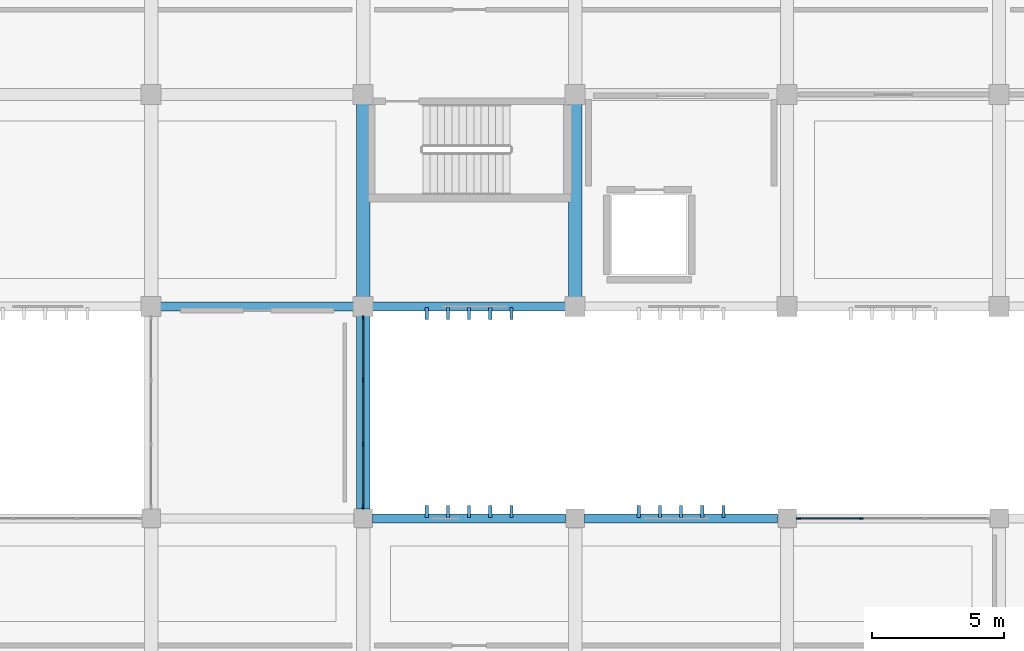
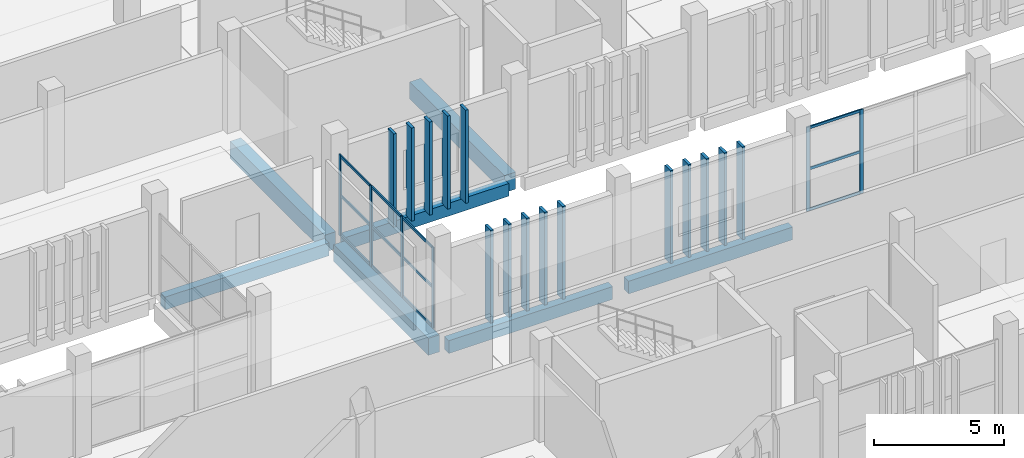
# One storey, part 42 of 117: 33 members, 7 beams, 2 elements without a shape of their own.
"""IFC4 building model written with IfcOpenShell, lengths in metres."""

from ifc_helpers import new_model, si_unit, direction, frame, origin, origin_2d, place, context, subcontext, project, spatial, rectangle, extrude, material, layer, layer_set, material_profile, profile_set, type_object, element, aggregate, save


model = new_model("IFC4")

# Units and contexts
model_context = context("Model", 3, precision=1e-05, world=origin(), true_north=direction((0.0, 1.0)))
body_context = subcontext(model_context, "Body", "Model", "MODEL_VIEW")
ifc_project = project(units=[si_unit("LENGTHUNIT", "METRE"), si_unit("AREAUNIT", "SQUARE_METRE"), si_unit("VOLUMEUNIT", "CUBIC_METRE"), si_unit("PLANEANGLEUNIT", "RADIAN"), si_unit("MASSUNIT", "GRAM", prefix="KILO")], contexts=[model_context])

# Site, building, storey
site_placement = place(None, origin())
site = spatial("IfcSite", under=ifc_project, at=site_placement, CompositionType="ELEMENT")
building_placement = place(site_placement, origin())
building = spatial("IfcBuilding", under=site, at=building_placement, Name="Jelvoka-Kovrelna Polytechnic", CompositionType="ELEMENT")
storey_placement = place(building_placement, origin())
storey = spatial("IfcBuildingStorey", under=building, at=storey_placement, Name="L01", CompositionType="ELEMENT", Elevation=0.0)

# Beams
ifc_material_1 = material(Name="Concrete C40/50", Category="concrete")
ifc_material_profile_1 = material_profile(ifc_material_1, rectangle(XDim=0.5, YDim=0.800048828125, at=origin_2d()), Name="RC 500x800")
ifc_profile_set_1 = profile_set([ifc_material_profile_1], Name="Concrete C40/50")
beam_type_1 = type_object("IfcBeamType", Name="Beam_RC_500x800", PredefinedType="BEAM", material=ifc_profile_set_1)
for number, where, z_axis, x_axis, name in (
    (1, (80.0, 56.35498046875, -0.804931640625), (0.0, 1.0, 0.0), (-1.0, 0.0, 0.0), "L01 beam 0465"),
    (2, (88.0, 56.35498046875, -0.804931640625), (0.0, 1.0, 0.0), (-1.0, 0.0, 0.0), "L01 beam 0467"),
    (3, (80.0, 48.35498046875, -0.804931640625), (0.0, 1.0, 0.0), (-1.0, 0.0, 0.0), "L01 beam 0543"),
):
    element("IfcBeam", number, at=place(storey_placement, frame(where, z_axis=z_axis, x_axis=x_axis)), inside=storey, type_object=beam_type_1, Name=name, PredefinedType="BEAM", context=body_context, shape_type="SweptSolid", body=[
        extrude(rectangle(XDim=0.5, YDim=0.800048828125, at=origin_2d()), origin(), (0.0, 0.0, 1.0), 7.2900390625),
    ])

# Members
ifc_material_2 = material(Name="Precast concrete C40/50", Category="concrete")
ifc_material_profile_2 = material_profile(ifc_material_2, rectangle(XDim=0.1201171875, YDim=0.449951171875, at=origin_2d()), Name="PC 120x450")
ifc_profile_set_2 = profile_set([ifc_material_profile_2], Name="Precast concrete C40/50")
member_type_1 = type_object("IfcMemberType", Name="Louvre_Fin_120x450", PredefinedType="USERDEFINED", material=ifc_profile_set_2)
for number, where, z_axis, x_axis, name in (
    (4, (82.39990234375, 48.264892578125, -0.419921875), (0.0, 0.0, 1.0), (1.0, 0.0, 0.0), "L01 B2W north vertical solar louvre fin 0576"),
    (5, (83.199951171875, 48.264892578125, -0.419921875), (0.0, 0.0, 1.0), (1.0, 0.0, 0.0), "L01 B2W north vertical solar louvre fin 0577"),
    (6, (84.0, 48.264892578125, -0.419921875), (0.0, 0.0, 1.0), (1.0, 0.0, 0.0), "L01 B2W north vertical solar louvre fin 0578"),
    (7, (84.800048828125, 48.264892578125, -0.419921875), (0.0, 0.0, 1.0), (1.0, 0.0, 0.0), "L01 B2W north vertical solar louvre fin 0579"),
    (8, (85.60009765625, 48.264892578125, -0.419921875), (0.0, 0.0, 1.0), (1.0, 0.0, 0.0), "L01 B2W north vertical solar louvre fin 0580"),
    (9, (90.39990234375, 48.264892578125, -0.419921875), (0.0, 0.0, 1.0), (1.0, 0.0, 0.0), "L01 B2W north vertical solar louvre fin 0586"),
    (10, (91.199951171875, 48.264892578125, -0.419921875), (0.0, 0.0, 1.0), (1.0, 0.0, 0.0), "L01 B2W north vertical solar louvre fin 0587"),
    (11, (92.0, 48.264892578125, -0.419921875), (0.0, 0.0, 1.0), (1.0, 0.0, 0.0), "L01 B2W north vertical solar louvre fin 0588"),
    (12, (92.800048828125, 48.264892578125, -0.419921875), (0.0, 0.0, 1.0), (1.0, 0.0, 0.0), "L01 B2W north vertical solar louvre fin 0589"),
    (13, (93.60009765625, 48.264892578125, -0.419921875), (0.0, 0.0, 1.0), (1.0, 0.0, 0.0), "L01 B2W north vertical solar louvre fin 0590"),
    (14, (82.39990234375, 55.735107421875, -0.419921875), (0.0, 0.0, 1.0), (1.0, 0.0, 0.0), "L01 B3 south vertical solar louvre fin 1216"),
    (15, (83.199951171875, 55.735107421875, -0.419921875), (0.0, 0.0, 1.0), (1.0, 0.0, 0.0), "L01 B3 south vertical solar louvre fin 1217"),
    (16, (84.0, 55.735107421875, -0.419921875), (0.0, 0.0, 1.0), (1.0, 0.0, 0.0), "L01 B3 south vertical solar louvre fin 1218"),
    (17, (84.800048828125, 55.735107421875, -0.419921875), (0.0, 0.0, 1.0), (1.0, 0.0, 0.0), "L01 B3 south vertical solar louvre fin 1219"),
    (18, (85.60009765625, 55.735107421875, -0.419921875), (0.0, 0.0, 1.0), (1.0, 0.0, 0.0), "L01 B3 south vertical solar louvre fin 1220"),
):
    element("IfcMember", number, at=place(storey_placement, frame(where, z_axis=z_axis, x_axis=x_axis)), inside=storey, type_object=member_type_1, Name=name, ObjectType="SUNSHADE", PredefinedType="USERDEFINED", context=body_context, shape_type="SweptSolid", body=[
        extrude(rectangle(XDim=0.1201171875, YDim=0.449951171875, at=origin_2d()), origin(), (0.0, 0.0, 1.0), 4.3798828125),
    ])

# Curtain wall, members
ifc_material_3 = material(Name="Anodised aluminium 6063-T6", Category="aluminium")
ifc_layer_1 = layer(ifc_material_3, 0.159912109375)
ifc_layer_set_1 = layer_set([ifc_layer_1], Name="Anodised aluminium 6063-T6")
curtain_wall_type_1 = type_object("IfcCurtainWallType", Name="CW_Recessed_A", PredefinedType="NOTDEFINED", material=ifc_layer_set_1)
curtain_wall_1_placement = place(storey_placement, origin())
curtain_wall_1 = element("IfcCurtainWall", 19, at=curtain_wall_1_placement, inside=storey, type_object=curtain_wall_type_1, Name="L01 glazed curtain wall 012", PredefinedType="NOTDEFINED")
ifc_material_4 = material(Name="Anodised aluminium 6063-T6", Category="aluminium")
ifc_material_profile_3 = material_profile(ifc_material_4, rectangle(XDim=0.06005859375, YDim=0.159912109375, at=origin_2d()), Name="ALU 60x160")
ifc_profile_set_3 = profile_set([ifc_material_profile_3], Name="Anodised aluminium 6063-T6")
member_type_2 = type_object("IfcMemberType", Name="Mullion_M-01", PredefinedType="MULLION", material=ifc_profile_set_3)
member_1_placement = place(storey_placement, frame((96.429931640625, 48.0, -0.02490234375), z_axis=(0.0, 0.0, 1.0), x_axis=(0.0, 1.0, 0.0)))
member_1 = element("IfcMember", 20, at=member_1_placement, type_object=member_type_2, Name="CW-01 mullion 1", PredefinedType="MULLION", context=body_context, shape_type="SweptSolid", body=[
    extrude(rectangle(XDim=0.06005859375, YDim=0.159912109375, at=origin_2d()), origin(), (0.0, 0.0, 1.0), 3.9599609375),
])
member_2_placement = place(storey_placement, frame((98.800048828125, 48.0, -0.02490234375), z_axis=(0.0, 0.0, 1.0), x_axis=(0.0, 1.0, 0.0)))
member_2 = element("IfcMember", 21, at=member_2_placement, type_object=member_type_2, Name="CW-01 mullion 2", PredefinedType="MULLION", context=body_context, shape_type="SweptSolid", body=[
    extrude(rectangle(XDim=0.06005859375, YDim=0.159912109375, at=origin_2d()), origin(), (0.0, 0.0, 1.0), 3.9599609375),
])

ifc_material_5 = material(Name="Anodised aluminium 6063-T6", Category="aluminium")
ifc_layer_2 = layer(ifc_material_5, 0.159912109375)
ifc_layer_set_2 = layer_set([ifc_layer_2], Name="Anodised aluminium 6063-T6")
curtain_wall_type_2 = type_object("IfcCurtainWallType", Name="CW_LinkBridge", PredefinedType="NOTDEFINED", material=ifc_layer_set_2)
curtain_wall_2_placement = place(storey_placement, origin())
curtain_wall_2 = element("IfcCurtainWall", 22, at=curtain_wall_2_placement, inside=storey, type_object=curtain_wall_type_2, Name="L01 glazed curtain wall 103", PredefinedType="NOTDEFINED")
ifc_material_6 = material(Name="Anodised aluminium 6063-T6", Category="aluminium")
ifc_material_profile_4 = material_profile(ifc_material_6, rectangle(XDim=0.06005859375, YDim=0.159912109375, at=origin_2d()), Name="ALU 60x160")
ifc_profile_set_4 = profile_set([ifc_material_profile_4], Name="Anodised aluminium 6063-T6")
member_type_3 = type_object("IfcMemberType", Name="Mullion_M-04", PredefinedType="MULLION", material=ifc_profile_set_4)
member_3_placement = place(storey_placement, frame((80.0, 55.570068359375, -0.02490234375), z_axis=(0.0, 0.0, 1.0), x_axis=(1.0, 0.0, 0.0)))
member_3 = element("IfcMember", 23, at=member_3_placement, type_object=member_type_3, Name="CW-04 mullion 1", PredefinedType="MULLION", context=body_context, shape_type="SweptSolid", body=[
    extrude(rectangle(XDim=0.06005859375, YDim=0.159912109375, at=origin_2d()), origin(), (0.0, 0.0, 1.0), 3.81005859375),
])
member_4_placement = place(storey_placement, frame((80.0, 53.199951171875, -0.02490234375), z_axis=(0.0, 0.0, 1.0), x_axis=(1.0, 0.0, 0.0)))
member_4 = element("IfcMember", 24, at=member_4_placement, type_object=member_type_3, Name="CW-04 mullion 2", PredefinedType="MULLION", context=body_context, shape_type="SweptSolid", body=[
    extrude(rectangle(XDim=0.06005859375, YDim=0.159912109375, at=origin_2d()), origin(), (0.0, 0.0, 1.0), 3.81005859375),
])
member_5_placement = place(storey_placement, frame((80.0, 50.800048828125, -0.02490234375), z_axis=(0.0, 0.0, 1.0), x_axis=(1.0, 0.0, 0.0)))
member_5 = element("IfcMember", 25, at=member_5_placement, type_object=member_type_3, Name="CW-04 mullion 3", PredefinedType="MULLION", context=body_context, shape_type="SweptSolid", body=[
    extrude(rectangle(XDim=0.06005859375, YDim=0.159912109375, at=origin_2d()), origin(), (0.0, 0.0, 1.0), 3.81005859375),
])
member_6_placement = place(storey_placement, frame((80.0, 48.429931640625, -0.02490234375), z_axis=(0.0, 0.0, 1.0), x_axis=(1.0, 0.0, 0.0)))
member_6 = element("IfcMember", 26, at=member_6_placement, type_object=member_type_3, Name="CW-04 mullion 4", PredefinedType="MULLION", context=body_context, shape_type="SweptSolid", body=[
    extrude(rectangle(XDim=0.06005859375, YDim=0.159912109375, at=origin_2d()), origin(), (0.0, 0.0, 1.0), 3.81005859375),
])

# Beams
ifc_material_7 = material(Name="Concrete C40/50", Category="concrete")
ifc_material_profile_5 = material_profile(ifc_material_7, rectangle(XDim=0.35009765625, YDim=0.60009765625, at=origin_2d()), Name="RC 350x600")
ifc_profile_set_5 = profile_set([ifc_material_profile_5], Name="Concrete C40/50")
beam_type_2 = type_object("IfcBeamType", Name="Spandrel_RC_350x600", PredefinedType="SPANDREL", material=ifc_profile_set_5)
for number, where, z_axis, x_axis, name in (
    (27, (80.35498046875, 48.0, -0.705078125), (1.0, 0.0, 0.0), (0.0, 1.0, 0.0), "L01 beam 0382"),
    (28, (88.35498046875, 48.0, -0.705078125), (1.0, 0.0, 0.0), (0.0, 1.0, 0.0), "L01 beam 0383"),
    (29, (72.35498046875, 56.0, -0.705078125), (1.0, 0.0, 0.0), (0.0, 1.0, 0.0), "L01 beam 0445"),
    (30, (80.35498046875, 56.0, -0.705078125), (1.0, 0.0, 0.0), (0.0, 1.0, 0.0), "L01 beam 0446"),
):
    element("IfcBeam", number, at=place(storey_placement, frame(where, z_axis=z_axis, x_axis=x_axis)), inside=storey, type_object=beam_type_2, Name=name, PredefinedType="SPANDREL", context=body_context, shape_type="SweptSolid", body=[
        extrude(rectangle(XDim=0.35009765625, YDim=0.60009765625, at=origin_2d()), origin(), (0.0, 0.0, 1.0), 7.2900390625),
    ])

# Member
ifc_material_8 = material(Name="Anodised aluminium 6063-T6", Category="aluminium")
ifc_material_profile_6 = material_profile(ifc_material_8, rectangle(XDim=0.06005859375, YDim=0.1201171875, at=origin_2d()), Name="ALU 60x120")
ifc_profile_set_6 = profile_set([ifc_material_profile_6], Name="Anodised aluminium 6063-T6")
member_type_4 = type_object("IfcMemberType", Name="Transom_T-01", PredefinedType="USERDEFINED", material=ifc_profile_set_6)
member_7_placement = place(storey_placement, frame((96.4599609375, 48.0, 0.030029296875), z_axis=(1.0, 0.0, 0.0), x_axis=(0.0, 1.0, 0.0)))
member_7 = element("IfcMember", 31, at=member_7_placement, type_object=member_type_4, Name="CW-01 transom 1.1", ObjectType="TRANSOM", PredefinedType="USERDEFINED", context=body_context, shape_type="SweptSolid", body=[
    extrude(rectangle(XDim=0.06005859375, YDim=0.1201171875, at=origin_2d()), origin(), (0.0, 0.0, 1.0), 2.31005859375),
])

member_8_placement = place(storey_placement, frame((96.4599609375, 48.0, 1.955078125), z_axis=(1.0, 0.0, 0.0), x_axis=(0.0, 1.0, 0.0)))
member_8 = element("IfcMember", 32, at=member_8_placement, type_object=member_type_4, Name="CW-01 transom 1.2", ObjectType="TRANSOM", PredefinedType="USERDEFINED", context=body_context, shape_type="SweptSolid", body=[
    extrude(rectangle(XDim=0.06005859375, YDim=0.1201171875, at=origin_2d()), origin(), (0.0, 0.0, 1.0), 2.31005859375),
])

member_9_placement = place(storey_placement, frame((96.4599609375, 48.0, 3.8798828125), z_axis=(1.0, 0.0, 0.0), x_axis=(0.0, 1.0, 0.0)))
member_9 = element("IfcMember", 33, at=member_9_placement, type_object=member_type_4, Name="CW-01 transom 1.3", ObjectType="TRANSOM", PredefinedType="USERDEFINED", context=body_context, shape_type="SweptSolid", body=[
    extrude(rectangle(XDim=0.06005859375, YDim=0.1201171875, at=origin_2d()), origin(), (0.0, 0.0, 1.0), 2.31005859375),
])

aggregate(curtain_wall_1, [member_1, member_2, member_7, member_8, member_9])

ifc_material_9 = material(Name="Anodised aluminium 6063-T6", Category="aluminium")
ifc_material_profile_7 = material_profile(ifc_material_9, rectangle(XDim=0.06005859375, YDim=0.1201171875, at=origin_2d()), Name="ALU 60x120")
ifc_profile_set_7 = profile_set([ifc_material_profile_7], Name="Anodised aluminium 6063-T6")
member_type_5 = type_object("IfcMemberType", Name="Transom_T-04", PredefinedType="USERDEFINED", material=ifc_profile_set_7)
member_10_placement = place(storey_placement, frame((80.0, 55.5400390625, 0.030029296875), z_axis=(0.0, -1.0, 0.0), x_axis=(1.0, 0.0, 0.0)))
member_10 = element("IfcMember", 34, at=member_10_placement, type_object=member_type_5, Name="CW-04 transom 1.1", ObjectType="TRANSOM", PredefinedType="USERDEFINED", context=body_context, shape_type="SweptSolid", body=[
    extrude(rectangle(XDim=0.06005859375, YDim=0.1201171875, at=origin_2d()), origin(), (0.0, 0.0, 1.0), 2.31005859375),
])

member_11_placement = place(storey_placement, frame((80.0, 55.5400390625, 1.8798828125), z_axis=(0.0, -1.0, 0.0), x_axis=(1.0, 0.0, 0.0)))
member_11 = element("IfcMember", 35, at=member_11_placement, type_object=member_type_5, Name="CW-04 transom 1.2", ObjectType="TRANSOM", PredefinedType="USERDEFINED", context=body_context, shape_type="SweptSolid", body=[
    extrude(rectangle(XDim=0.06005859375, YDim=0.1201171875, at=origin_2d()), origin(), (0.0, 0.0, 1.0), 2.31005859375),
])

member_12_placement = place(storey_placement, frame((80.0, 55.5400390625, 3.72998046875), z_axis=(0.0, -1.0, 0.0), x_axis=(1.0, 0.0, 0.0)))
member_12 = element("IfcMember", 36, at=member_12_placement, type_object=member_type_5, Name="CW-04 transom 1.3", ObjectType="TRANSOM", PredefinedType="USERDEFINED", context=body_context, shape_type="SweptSolid", body=[
    extrude(rectangle(XDim=0.06005859375, YDim=0.1201171875, at=origin_2d()), origin(), (0.0, 0.0, 1.0), 2.31005859375),
])

member_13_placement = place(storey_placement, frame((80.0, 53.169921875, 0.030029296875), z_axis=(0.0, -1.0, 0.0), x_axis=(1.0, 0.0, 0.0)))
member_13 = element("IfcMember", 37, at=member_13_placement, type_object=member_type_5, Name="CW-04 transom 2.1", ObjectType="TRANSOM", PredefinedType="USERDEFINED", context=body_context, shape_type="SweptSolid", body=[
    extrude(rectangle(XDim=0.06005859375, YDim=0.1201171875, at=origin_2d()), origin(), (0.0, 0.0, 1.0), 2.33984375),
])

member_14_placement = place(storey_placement, frame((80.0, 53.169921875, 1.8798828125), z_axis=(0.0, -1.0, 0.0), x_axis=(1.0, 0.0, 0.0)))
member_14 = element("IfcMember", 38, at=member_14_placement, type_object=member_type_5, Name="CW-04 transom 2.2", ObjectType="TRANSOM", PredefinedType="USERDEFINED", context=body_context, shape_type="SweptSolid", body=[
    extrude(rectangle(XDim=0.06005859375, YDim=0.1201171875, at=origin_2d()), origin(), (0.0, 0.0, 1.0), 2.33984375),
])

member_15_placement = place(storey_placement, frame((80.0, 53.169921875, 3.72998046875), z_axis=(0.0, -1.0, 0.0), x_axis=(1.0, 0.0, 0.0)))
member_15 = element("IfcMember", 39, at=member_15_placement, type_object=member_type_5, Name="CW-04 transom 2.3", ObjectType="TRANSOM", PredefinedType="USERDEFINED", context=body_context, shape_type="SweptSolid", body=[
    extrude(rectangle(XDim=0.06005859375, YDim=0.1201171875, at=origin_2d()), origin(), (0.0, 0.0, 1.0), 2.33984375),
])

member_16_placement = place(storey_placement, frame((80.0, 50.77001953125, 0.030029296875), z_axis=(0.0, -1.0, 0.0), x_axis=(1.0, 0.0, 0.0)))
member_16 = element("IfcMember", 40, at=member_16_placement, type_object=member_type_5, Name="CW-04 transom 3.1", ObjectType="TRANSOM", PredefinedType="USERDEFINED", context=body_context, shape_type="SweptSolid", body=[
    extrude(rectangle(XDim=0.06005859375, YDim=0.1201171875, at=origin_2d()), origin(), (0.0, 0.0, 1.0), 2.31005859375),
])

member_17_placement = place(storey_placement, frame((80.0, 50.77001953125, 1.8798828125), z_axis=(0.0, -1.0, 0.0), x_axis=(1.0, 0.0, 0.0)))
member_17 = element("IfcMember", 41, at=member_17_placement, type_object=member_type_5, Name="CW-04 transom 3.2", ObjectType="TRANSOM", PredefinedType="USERDEFINED", context=body_context, shape_type="SweptSolid", body=[
    extrude(rectangle(XDim=0.06005859375, YDim=0.1201171875, at=origin_2d()), origin(), (0.0, 0.0, 1.0), 2.31005859375),
])

member_18_placement = place(storey_placement, frame((80.0, 50.77001953125, 3.72998046875), z_axis=(0.0, -1.0, 0.0), x_axis=(1.0, 0.0, 0.0)))
member_18 = element("IfcMember", 42, at=member_18_placement, type_object=member_type_5, Name="CW-04 transom 3.3", ObjectType="TRANSOM", PredefinedType="USERDEFINED", context=body_context, shape_type="SweptSolid", body=[
    extrude(rectangle(XDim=0.06005859375, YDim=0.1201171875, at=origin_2d()), origin(), (0.0, 0.0, 1.0), 2.31005859375),
])

aggregate(curtain_wall_2, [member_3, member_4, member_5, member_6, member_10, member_11, member_12, member_13, member_14, member_15, member_16, member_17, member_18])

save(model, "model.ifc")
